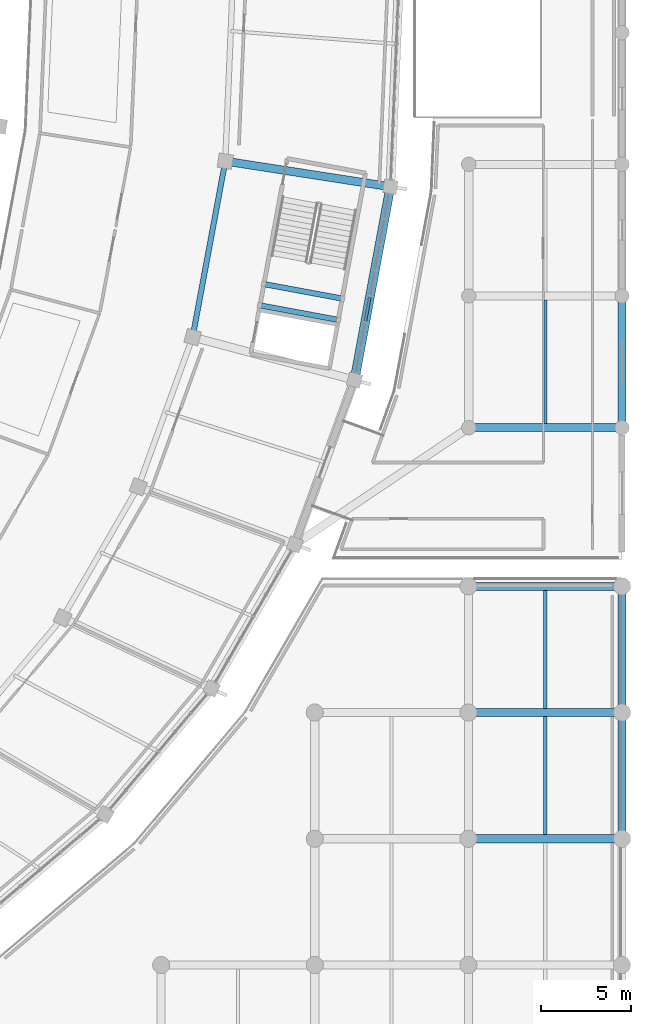
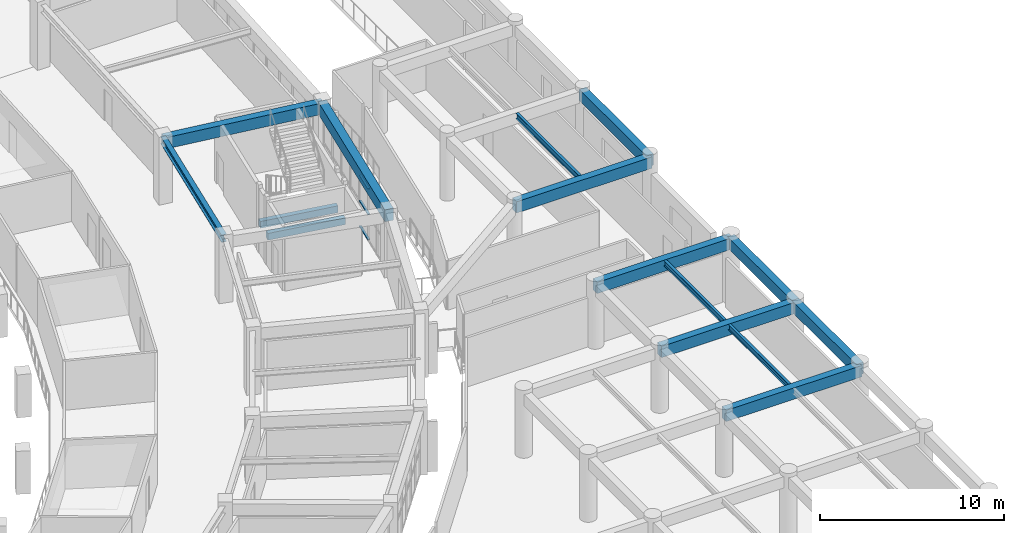
# One storey, part 42 of 141: 15 beams, 3 members, 1 element without a shape of its own.
"""IFC4 building model written with IfcOpenShell, lengths in metres."""

from ifc_helpers import new_model, si_unit, direction, frame, origin, origin_2d, place, context, subcontext, project, spatial, rectangle, i_section, extrude, material, layer, layer_set, material_profile, profile_set, type_object, element, aggregate, save


model = new_model("IFC4")

# Units and contexts
model_context = context("Model", 3, precision=1e-05, world=origin(), true_north=direction((0.0, 1.0)))
body_context = subcontext(model_context, "Body", "Model", "MODEL_VIEW")
ifc_project = project(units=[si_unit("LENGTHUNIT", "METRE"), si_unit("AREAUNIT", "SQUARE_METRE"), si_unit("VOLUMEUNIT", "CUBIC_METRE"), si_unit("PLANEANGLEUNIT", "RADIAN"), si_unit("MASSUNIT", "GRAM", prefix="KILO")], contexts=[model_context])

# Site, building, storey
site_placement = place(None, origin())
site = spatial("IfcSite", under=ifc_project, at=site_placement, CompositionType="ELEMENT")
building_placement = place(site_placement, origin())
building = spatial("IfcBuilding", under=site, at=building_placement, Name="Mphavela Belvedere Stadium", CompositionType="ELEMENT")
storey_placement = place(building_placement, frame((0.0, 0.0, 14.699951171875)))
storey = spatial("IfcBuildingStorey", under=building, at=storey_placement, Name="L03", CompositionType="ELEMENT", Elevation=14.699951171875)

# Beams
ifc_material_1 = material(Name="Steel S355", Category="steel")
ifc_material_profile_1 = material_profile(ifc_material_1, i_section(OverallWidth=0.169921875, OverallDepth=0.360107421875, WebThickness=0.008056640625, FlangeThickness=0.0126953125, at=origin_2d()), Name="IPE 360")
ifc_profile_set_1 = profile_set([ifc_material_profile_1], Name="Steel S355")
beam_type_1 = type_object("IfcBeamType", Name="BM-JOIST-IPE360", PredefinedType="JOIST", material=ifc_profile_set_1)
for number, where, z_axis, x_axis, name in (
    (1, (225.740478515625, 35.22509765625, 4.06005859375), (0.0, 1.0, 0.0), (-1.0, 0.0, 0.0), "South Axial Triumphal Peristyle Portico secondary joist L03 27-6"),
    (2, (225.740478515625, 42.22509765625, 4.06005859375), (0.0, 1.0, 0.0), (-1.0, 0.0, 0.0), "South Axial Triumphal Peristyle Portico secondary joist L03 27-7"),
):
    element("IfcBeam", number, at=place(storey_placement, frame(where, z_axis=z_axis, x_axis=x_axis)), inside=storey, type_object=beam_type_1, Name=name, PredefinedType="JOIST", context=body_context, shape_type="SweptSolid", body=[
        extrude(i_section(OverallWidth=0.169921875, OverallDepth=0.360107421875, WebThickness=0.008056640625, FlangeThickness=0.0126953125, at=origin_2d()), origin(), (0.0, 0.0, 1.0), 6.5498046875),
    ])
beam_1_placement = place(storey_placement, frame((225.75, 58.02490234375, 4.06005859375), z_axis=(0.0, 1.0, 0.0), x_axis=(-1.0, 0.0, 0.0)))
element("IfcBeam", 3, at=beam_1_placement, inside=storey, type_object=beam_type_1, Name="East Planted Eaves Peristyle Colonnade secondary joist L03 8-2", PredefinedType="JOIST", context=body_context, shape_type="SweptSolid", body=[
    extrude(i_section(OverallWidth=0.169921875, OverallDepth=0.360107421875, WebThickness=0.008056640625, FlangeThickness=0.0126953125, at=origin_2d()), origin(), (0.0, 0.0, 1.0), 6.85009765625),
])
ifc_material_2 = material(Name="Concrete C40/50", Category="concrete")
ifc_material_profile_2 = material_profile(ifc_material_2, rectangle(XDim=0.300048828125, YDim=0.449951171875, at=origin_2d()), Name="RC 300x450")
ifc_profile_set_2 = profile_set([ifc_material_profile_2], Name="Concrete C40/50")
beam_type_2 = type_object("IfcBeamType", Name="BM-RC300x450", PredefinedType="BEAM", material=ifc_profile_set_2)
for number, where, z_axis, x_axis, name in (
    (4, (210.11376953125, 65.7646484375, 1.824951171875), (0.9831891563, -0.182589931088, 0.0), (0.182589931088, 0.9831891563, 0.0), "Core C12 landing trimmer beam L03-1"),
    (5, (209.894775390625, 64.584716796875, 1.824951171875), (0.983198960132, -0.182537132646, 0.0), (0.182537132646, 0.983198960132, 0.0), "Core C12 landing trimmer beam L03-2"),
):
    element("IfcBeam", number, at=place(storey_placement, frame(where, z_axis=z_axis, x_axis=x_axis)), inside=storey, type_object=beam_type_2, Name=name, PredefinedType="BEAM", context=body_context, shape_type="SweptSolid", body=[
        extrude(rectangle(XDim=0.300048828125, YDim=0.449951171875, at=origin_2d()), origin(), (0.0, 0.0, 1.0), 4.469970703125),
    ])
ifc_material_3 = material(Name="Concrete C40/50", Category="concrete")
ifc_material_profile_3 = material_profile(ifc_material_3, rectangle(XDim=0.449951171875, YDim=0.75, at=origin_2d()), Name="RC 450x750")
ifc_profile_set_3 = profile_set([ifc_material_profile_3], Name="Concrete C40/50")
beam_type_3 = type_object("IfcBeamType", Name="BM-RC450x750", PredefinedType="BEAM", material=ifc_profile_set_3)
beam_2_placement = place(storey_placement, frame((208.0, 72.5751953125, 3.875), z_axis=(0.988182369303, -0.153282761586, 0.0), x_axis=(0.153282761586, 0.988182369303, 0.0)))
element("IfcBeam", 6, at=beam_2_placement, inside=storey, type_object=beam_type_3, Name="Radial concourse girder L03 R3R4-48", PredefinedType="BEAM", context=body_context, shape_type="SweptSolid", body=[
    extrude(rectangle(XDim=0.449951171875, YDim=0.75, at=origin_2d()), origin(), (0.0, 0.0, 1.0), 9.264892578125),
])
for number, where, z_axis, x_axis, name in (
    (7, (221.48095703125, 35.0, 3.864990234375), (1.0, 0.0, 0.0), (0.0, 1.0, 0.0), "South Axial Triumphal Peristyle Portico entablature beam X L03 27-6"),
    (8, (221.48095703125, 42.0, 3.864990234375), (1.0, 0.0, 0.0), (0.0, 1.0, 0.0), "South Axial Triumphal Peristyle Portico entablature beam X L03 27-7"),
    (9, (221.48095703125, 49.0, 3.864990234375), (1.0, 0.0, 0.0), (0.0, 1.0, 0.0), "South Axial Triumphal Peristyle Portico entablature beam X L03 27-8"),
):
    element("IfcBeam", number, at=place(storey_placement, frame(where, z_axis=z_axis, x_axis=x_axis)), inside=storey, type_object=beam_type_3, Name=name, PredefinedType="BEAM", context=body_context, shape_type="SweptSolid", body=[
        extrude(rectangle(XDim=0.449951171875, YDim=0.75, at=origin_2d()), origin(), (0.0, 0.0, 1.0), 8.51904296875),
    ])
for number, where, z_axis, x_axis, name in (
    (10, (230.0, 35.0, 3.864990234375), (0.0, 1.0, 0.0), (-1.0, 0.0, 0.0), "South Axial Triumphal Peristyle Portico entablature beam Y L03 28-6"),
    (11, (230.0, 42.0, 3.864990234375), (0.0, 1.0, 0.0), (-1.0, 0.0, 0.0), "South Axial Triumphal Peristyle Portico entablature beam Y L03 28-7"),
):
    element("IfcBeam", number, at=place(storey_placement, frame(where, z_axis=z_axis, x_axis=x_axis)), inside=storey, type_object=beam_type_3, Name=name, PredefinedType="BEAM", context=body_context, shape_type="SweptSolid", body=[
        extrude(rectangle(XDim=0.449951171875, YDim=0.75, at=origin_2d()), origin(), (0.0, 0.0, 1.0), 7.0),
    ])
beam_3_placement = place(storey_placement, frame((221.5, 57.800048828125, 3.864990234375), z_axis=(1.0, 0.0, 0.0), x_axis=(0.0, 1.0, 0.0)))
element("IfcBeam", 12, at=beam_3_placement, inside=storey, type_object=beam_type_3, Name="East Planted Eaves Peristyle Colonnade entablature beam X L03 8-2", PredefinedType="BEAM", context=body_context, shape_type="SweptSolid", body=[
    extrude(rectangle(XDim=0.449951171875, YDim=0.75, at=origin_2d()), origin(), (0.0, 0.0, 1.0), 8.5),
])
beam_4_placement = place(storey_placement, frame((230.0, 57.800048828125, 3.864990234375), z_axis=(0.0, 1.0, 0.0), x_axis=(-1.0, 0.0, 0.0)))
element("IfcBeam", 13, at=beam_4_placement, inside=storey, type_object=beam_type_3, Name="East Planted Eaves Peristyle Colonnade entablature beam Y L03 9-2", PredefinedType="BEAM", context=body_context, shape_type="SweptSolid", body=[
    extrude(rectangle(XDim=0.449951171875, YDim=0.75, at=origin_2d()), origin(), (0.0, 0.0, 1.0), 7.300048828125),
])
ifc_material_4 = material(Name="Concrete C40/50", Category="concrete")
ifc_material_profile_4 = material_profile(ifc_material_4, rectangle(XDim=0.5, YDim=0.800048828125, at=origin_2d()), Name="RC 500x800")
ifc_profile_set_4 = profile_set([ifc_material_profile_4], Name="Concrete C40/50")
beam_type_4 = type_object("IfcBeamType", Name="BM-SPANDREL-800", PredefinedType="SPANDREL", material=ifc_profile_set_4)
beam_5_placement = place(storey_placement, frame((215.16455078125, 60.4375, 3.85009765625), z_axis=(0.18264260648, 0.983179372393, 0.0), x_axis=(-0.983179372393, 0.18264260648, 0.0)))
element("IfcBeam", 14, at=beam_5_placement, inside=storey, type_object=beam_type_4, Name="Circumferential girder L03 R4-47", PredefinedType="SPANDREL", context=body_context, shape_type="SweptSolid", body=[
    extrude(rectangle(XDim=0.5, YDim=0.800048828125, at=origin_2d()), origin(), (0.0, 0.0, 1.0), 10.90087890625),
])
ifc_material_5 = material(Name="Steel S355", Category="steel")
ifc_material_profile_5 = material_profile(ifc_material_5, i_section(OverallWidth=0.300048828125, OverallDepth=0.489990234375, WebThickness=0.011962890625, FlangeThickness=0.02294921875, at=origin_2d()), Name="HEA 500")
ifc_profile_set_5 = profile_set([ifc_material_profile_5], Name="Steel S355")
beam_type_5 = type_object("IfcBeamType", Name="BM-STEEL-HEA500", PredefinedType="BEAM", material=ifc_profile_set_5)
beam_6_placement = place(storey_placement, frame((206.1875, 62.818115234375, 4.005126953125), z_axis=(0.182638056683, 0.983180217585, 0.0), x_axis=(-0.983180217585, 0.182638056683, 0.0)))
element("IfcBeam", 15, at=beam_6_placement, inside=storey, type_object=beam_type_5, Name="Circumferential girder L03 R3-47", PredefinedType="BEAM", context=body_context, shape_type="SweptSolid", body=[
    extrude(i_section(OverallWidth=0.300048828125, OverallDepth=0.489990234375, WebThickness=0.011962890625, FlangeThickness=0.02294921875, at=origin_2d()), origin(), (0.0, 0.0, 1.0), 9.924072265625),
])

# Curtain wall, members
ifc_material_6 = material(Name="Anodised bronze unitised curtain wall framing")
ifc_layer = layer(ifc_material_6, 0.18994140625)
ifc_layer_set = layer_set([ifc_layer], Name="Anodised bronze unitised curtain wall framing")
curtain_wall_type = type_object("IfcCurtainWallType", Name="CW-UNIT-03", PredefinedType="USERDEFINED", material=ifc_layer_set)
curtain_wall_placement = place(storey_placement, origin())
curtain_wall = element("IfcCurtainWall", 16, at=curtain_wall_placement, inside=storey, type_object=curtain_wall_type, Name="Belvedere colonnade curtain wall L03-47", ObjectType="UNITISED CURTAIN WALL", PredefinedType="USERDEFINED")
ifc_material_7 = material(Name="Anodised bronze extruded aluminium", Category="aluminium")
ifc_material_profile_6 = material_profile(ifc_material_7, rectangle(XDim=0.139892578125, YDim=0.06005859375, at=origin_2d()), Name="CW-TRN 140x60")
ifc_profile_set_6 = profile_set([ifc_material_profile_6], Name="Anodised bronze extruded aluminium")
member_type = type_object("IfcMemberType", Name="CWT-140x60", PredefinedType="USERDEFINED", material=ifc_profile_set_6)
member_1_placement = place(storey_placement, frame((215.7685546875, 63.688720703125, 0.030029296875), z_axis=(0.182543529101, 0.983197772568, 0.0), x_axis=(-0.983197772568, 0.182543529101, 0.0)))
member_1 = element("IfcMember", 17, at=member_1_placement, type_object=member_type, Name="CW-03 transom 3.1", ObjectType="TRANSOM", PredefinedType="USERDEFINED", context=body_context, shape_type="SweptSolid", body=[
    extrude(rectangle(XDim=0.139892578125, YDim=0.06005859375, at=origin_2d()), origin(), (0.0, 0.0, 1.0), 1.385498046875),
])
member_2_placement = place(storey_placement, frame((215.7685546875, 63.688720703125, 1.7099609375), z_axis=(0.182543529101, 0.983197772568, 0.0), x_axis=(-0.983197772568, 0.182543529101, 0.0)))
member_2 = element("IfcMember", 18, at=member_2_placement, type_object=member_type, Name="CW-03 transom 3.2", ObjectType="TRANSOM", PredefinedType="USERDEFINED", context=body_context, shape_type="SweptSolid", body=[
    extrude(rectangle(XDim=0.139892578125, YDim=0.06005859375, at=origin_2d()), origin(), (0.0, 0.0, 1.0), 1.385498046875),
])
member_3_placement = place(storey_placement, frame((215.7685546875, 63.688720703125, 3.39013671875), z_axis=(0.182543529101, 0.983197772568, 0.0), x_axis=(-0.983197772568, 0.182543529101, 0.0)))
member_3 = element("IfcMember", 19, at=member_3_placement, type_object=member_type, Name="CW-03 transom 3.3", ObjectType="TRANSOM", PredefinedType="USERDEFINED", context=body_context, shape_type="SweptSolid", body=[
    extrude(rectangle(XDim=0.139892578125, YDim=0.06005859375, at=origin_2d()), origin(), (0.0, 0.0, 1.0), 1.385498046875),
])
aggregate(curtain_wall, [member_1, member_2, member_3])

save(model, "model.ifc")
